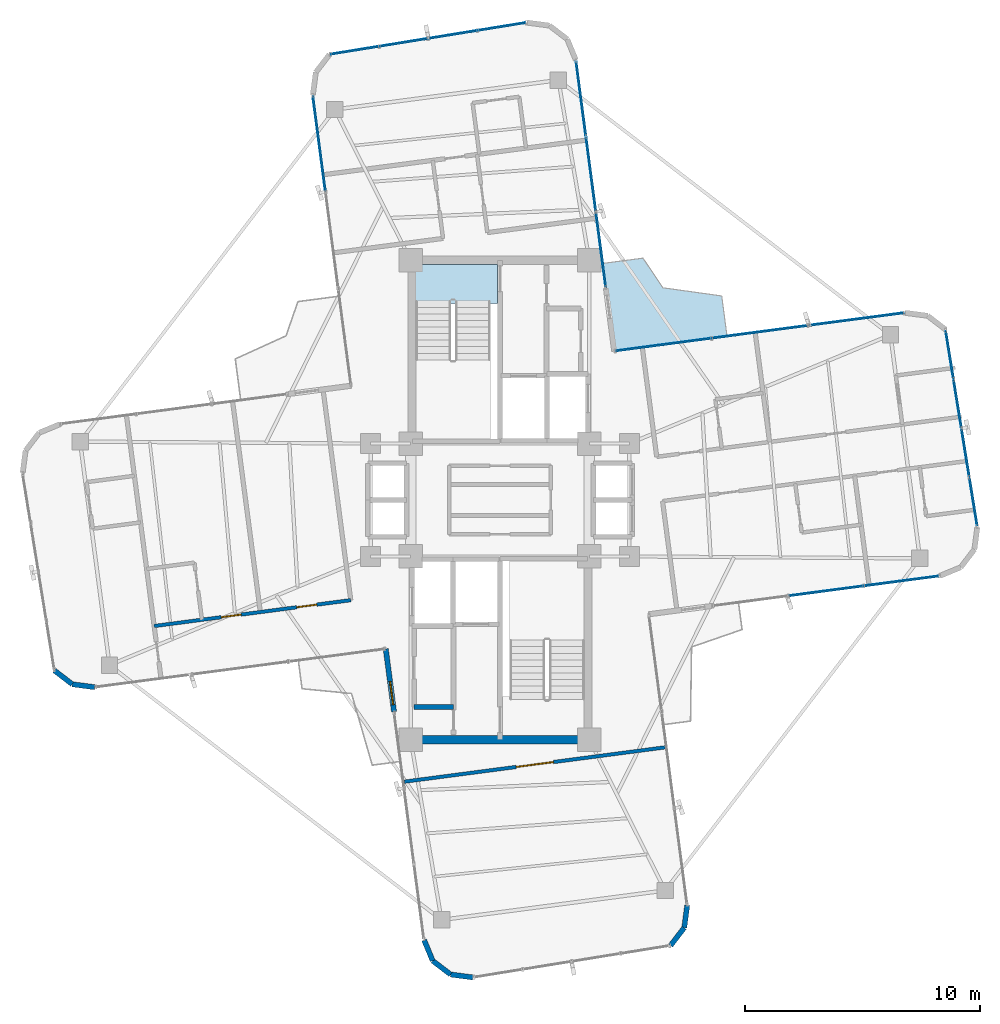
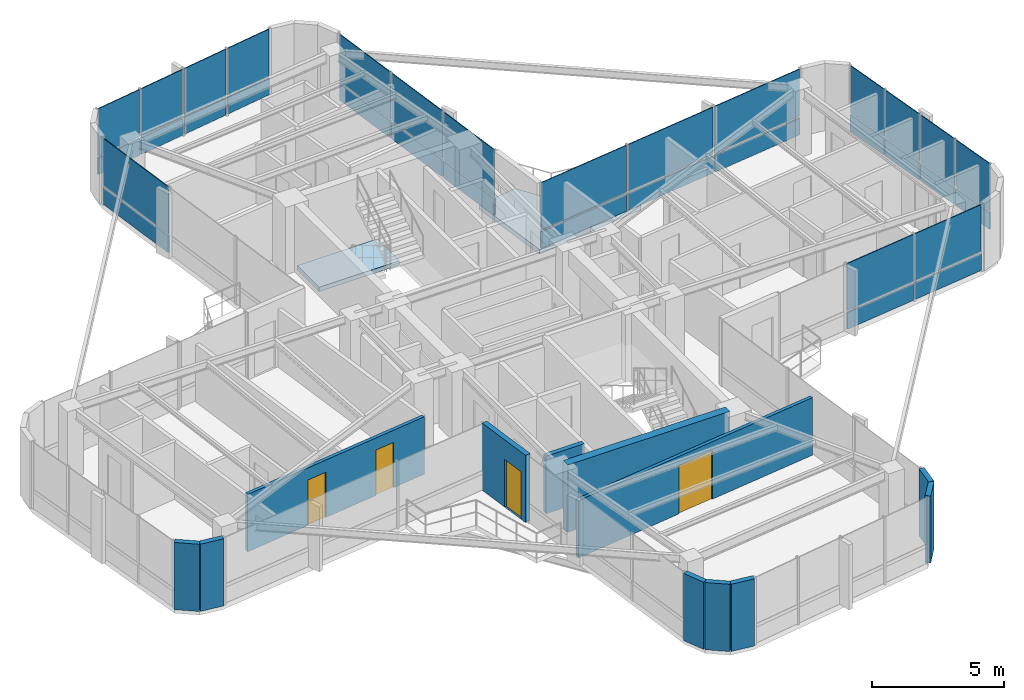
# One storey, part 17 of 21: 34 plates, 12 walls, 4 doors, 2 slabs, 4 openings, 6 elements without a shape of their own.
"""IFC4 building model written with IfcOpenShell, lengths in metres."""

from ifc_helpers import new_model, si_unit, direction, frame, frame_2d, origin, origin_2d, place, context, subcontext, project, spatial, polyline, rectangle, outline, extrude, source, transform, mapped, material, layer, layer_set, type_object, element, fill, aggregate, save


model = new_model("IFC4")

# Units and contexts
model_context = context("Model", 3, precision=1e-05, world=origin(), true_north=direction((0.0, 1.0)))
body_context = subcontext(model_context, "Body", "Model", "MODEL_VIEW")
ifc_project = project(units=[si_unit("LENGTHUNIT", "METRE"), si_unit("AREAUNIT", "SQUARE_METRE"), si_unit("VOLUMEUNIT", "CUBIC_METRE"), si_unit("PLANEANGLEUNIT", "RADIAN"), si_unit("MASSUNIT", "GRAM", prefix="KILO")], contexts=[model_context])

# Site, building, storey
site_placement = place(None, origin())
site = spatial("IfcSite", under=ifc_project, at=site_placement, CompositionType="ELEMENT")
building_placement = place(site_placement, origin())
building = spatial("IfcBuilding", under=site, at=building_placement, Name="Sahyath Konkavel Grand Hotel", CompositionType="ELEMENT")
storey_placement = place(building_placement, frame((0.0, 0.0, 219.89990234375)))
storey = spatial("IfcBuildingStorey", under=building, at=storey_placement, Name="L61", CompositionType="ELEMENT", Elevation=219.89990234375)

# Slabs
ifc_material_1 = material(Name="Concrete C40/50", Category="concrete")
ifc_layer_1 = layer(ifc_material_1, 0.219970703125)
ifc_layer_set_1 = layer_set([ifc_layer_1], Name="Concrete C40/50")
slab_type_1 = type_object("IfcSlabType", Name="SLB-BALCONY-220", PredefinedType="FLOOR", material=ifc_layer_set_1)
slab_1_placement = place(storey_placement, frame((0.0, 0.0, -0.219970703125)))
element("IfcSlab", 1, at=slab_1_placement, inside=storey, type_object=slab_type_1, Name="L61 Winter-Garden Balcony NE", PredefinedType="FLOOR", context=body_context, shape_type="SweptSolid", body=[
    extrude(outline(polyline([(4.860595703125, 6.334716796875), (9.658203125, 6.96630859375), (9.4326171875, 8.68017578125), (6.927734375, 9.028564453125), (6.083740234375, 10.2890625), (4.369873046875, 10.0634765625), (4.860595703125, 6.334716796875)])), origin(), (0.0, 0.0, 1.0), 0.219970703125),
])
ifc_layer_2 = layer(ifc_material_1, 0.199951171875)
ifc_layer_set_2 = layer_set([ifc_layer_2], Name="Concrete C40/50")
slab_type_2 = type_object("IfcSlabType", Name="SLB-STAIR-LND", PredefinedType="LANDING", material=ifc_layer_set_2)
slab_2_placement = place(storey_placement, frame((0.0, 0.0, -0.199951171875)))
element("IfcSlab", 2, at=slab_2_placement, inside=storey, type_object=slab_type_2, Name="L61 Stair ST-1 Floor Landing Slab", PredefinedType="LANDING", context=body_context, shape_type="SweptSolid", body=[
    extrude(outline(polyline([(-3.6201171875, 8.35009765625), (-0.10009765625, 8.35009765625), (-0.10009765625, 10.02001953125), (-3.6201171875, 10.02001953125), (-3.6201171875, 8.35009765625)])), origin(), (0.0, 0.0, 1.0), 0.199951171875),
])

# Curtain wall, plates
ifc_material_2 = material(Name="Anodised Bronze Aluminium & Low-E Glazing", Category="aluminium")
curtain_wall_type = type_object("IfcCurtainWallType", Name="CW-ZONE4", PredefinedType="NOTDEFINED", material=ifc_material_2)
curtain_wall_1_placement = place(storey_placement, origin())
curtain_wall_1 = element("IfcCurtainWall", 3, at=curtain_wall_1_placement, inside=storey, type_object=curtain_wall_type, Name="L61 Unitised Curtain Wall F0", PredefinedType="NOTDEFINED")
ifc_material_3 = material(Name="Warm Buff Sandstone Cladding", Category="masonry")
ifc_layer_3 = layer(ifc_material_3, 0.074951171875)
ifc_layer_set_3 = layer_set([ifc_layer_3], Name="Warm Buff Sandstone Cladding")
plate_type_1 = type_object("IfcPlateType", Name="PNL-SPANDREL-STONE", PredefinedType="SHEET", material=ifc_layer_set_3)
shared_shape_1 = source(origin(), body_context, "Body", "SweptSolid", [
    extrude(rectangle(XDim=3.156982421875, YDim=0.074951171875, at=origin_2d()), origin(), (0.0, 0.0, 1.0), 0.77001953125),
])
plate_1_placement = place(storey_placement, frame((13.864990234375, -3.869384765625, 0.0400390625), z_axis=(0.0, 0.0, 1.0), x_axis=(0.991444861374, 0.13052619222, 0.0)))
plate_1 = element("IfcPlate", 4, at=plate_1_placement, type_object=plate_type_1, Name="L61 Sandstone Relief Spandrel Panel F0-1", PredefinedType="SHEET", context=body_context, shape_type="MappedRepresentation", body=[
    mapped(shared_shape_1, transform((0.0, 0.0, 0.0), scale=1.0)),
])
plate_2_placement = place(storey_placement, frame((17.074462890625, -3.44677734375, 0.0400390625), z_axis=(0.0, 0.0, 1.0), x_axis=(0.991444861374, 0.13052619222, 0.0)))
plate_2 = element("IfcPlate", 5, at=plate_2_placement, type_object=plate_type_1, Name="L61 Sandstone Relief Spandrel Panel F0-2", PredefinedType="SHEET", context=body_context, shape_type="MappedRepresentation", body=[
    mapped(shared_shape_1, transform((0.0, 0.0, 0.0), scale=1.0)),
])

curtain_wall_2_placement = place(storey_placement, origin())
curtain_wall_2 = element("IfcCurtainWall", 6, at=curtain_wall_2_placement, inside=storey, type_object=curtain_wall_type, Name="L61 Unitised Curtain Wall F8", PredefinedType="NOTDEFINED")
plate_3_placement = place(storey_placement, frame((4.2919921875, 10.656005859375, 0.0400390625), z_axis=(0.0, 0.0, 1.0), x_axis=(-0.13052619222, 0.991444861374, 0.0)))
plate_3 = element("IfcPlate", 7, at=plate_3_placement, type_object=plate_type_1, Name="L61 Sandstone Relief Spandrel Panel F8-0", PredefinedType="SHEET", context=body_context, shape_type="MappedRepresentation", body=[
    mapped(shared_shape_1, transform((0.0, 0.0, 0.0), scale=1.0)),
])
plate_4_placement = place(storey_placement, frame((3.869384765625, 13.864990234375, 0.0400390625), z_axis=(0.0, 0.0, 1.0), x_axis=(-0.13052619222, 0.991444861374, 0.0)))
plate_4 = element("IfcPlate", 8, at=plate_4_placement, type_object=plate_type_1, Name="L61 Sandstone Relief Spandrel Panel F8-1", PredefinedType="SHEET", context=body_context, shape_type="MappedRepresentation", body=[
    mapped(shared_shape_1, transform((0.0, 0.0, 0.0), scale=1.0)),
])
plate_5_placement = place(storey_placement, frame((3.44677734375, 17.074462890625, 0.0400390625), z_axis=(0.0, 0.0, 1.0), x_axis=(-0.13052619222, 0.991444861374, 0.0)))
plate_5 = element("IfcPlate", 9, at=plate_5_placement, type_object=plate_type_1, Name="L61 Sandstone Relief Spandrel Panel F8-2", PredefinedType="SHEET", context=body_context, shape_type="MappedRepresentation", body=[
    mapped(shared_shape_1, transform((0.0, 0.0, 0.0), scale=1.0)),
])

# Plate
ifc_material_4 = material(Name="Low-E Solar Control Double Glazing", Category="glass")
ifc_layer_4 = layer(ifc_material_4, 0.035888671875)
ifc_layer_set_4 = layer_set([ifc_layer_4], Name="Low-E Solar Control Double Glazing")
plate_type_2 = type_object("IfcPlateType", Name="PNL-VISION-LOWE", PredefinedType="CURTAIN_PANEL", material=ifc_layer_set_4)
shared_shape_2 = source(origin(), body_context, "Body", "SweptSolid", [
    extrude(rectangle(XDim=3.156982421875, YDim=0.035888671875, at=origin_2d()), origin(), (0.0, 0.0, 1.0), 2.179931640625),
])
plate_6_placement = place(storey_placement, frame((13.864990234375, -3.869384765625, 0.89013671875), z_axis=(0.0, 0.0, 1.0), x_axis=(0.991444861374, 0.13052619222, 0.0)))
plate_6 = element("IfcPlate", 10, at=plate_6_placement, type_object=plate_type_2, Name="L61 Low-E Vision Glazing Panel F0-1", PredefinedType="CURTAIN_PANEL", context=body_context, shape_type="MappedRepresentation", body=[
    mapped(shared_shape_2, transform((0.0, 0.0, 0.0), scale=1.0)),
])

plate_7_placement = place(storey_placement, frame((17.074462890625, -3.44677734375, 0.89013671875), z_axis=(0.0, 0.0, 1.0), x_axis=(0.991444861374, 0.13052619222, 0.0)))
plate_7 = element("IfcPlate", 11, at=plate_7_placement, type_object=plate_type_2, Name="L61 Low-E Vision Glazing Panel F0-2", PredefinedType="CURTAIN_PANEL", context=body_context, shape_type="MappedRepresentation", body=[
    mapped(shared_shape_2, transform((0.0, 0.0, 0.0), scale=1.0)),
])

aggregate(curtain_wall_1, [plate_1, plate_6, plate_2, plate_7])

plate_8_placement = place(storey_placement, frame((4.2919921875, 10.656005859375, 0.89013671875), z_axis=(0.0, 0.0, 1.0), x_axis=(-0.13052619222, 0.991444861374, 0.0)))
plate_8 = element("IfcPlate", 12, at=plate_8_placement, type_object=plate_type_2, Name="L61 Low-E Vision Glazing Panel F8-0", PredefinedType="CURTAIN_PANEL", context=body_context, shape_type="MappedRepresentation", body=[
    mapped(shared_shape_2, transform((0.0, 0.0, 0.0), scale=1.0)),
])

plate_9_placement = place(storey_placement, frame((3.869384765625, 13.864990234375, 0.89013671875), z_axis=(0.0, 0.0, 1.0), x_axis=(-0.13052619222, 0.991444861374, 0.0)))
plate_9 = element("IfcPlate", 13, at=plate_9_placement, type_object=plate_type_2, Name="L61 Low-E Vision Glazing Panel F8-1", PredefinedType="CURTAIN_PANEL", context=body_context, shape_type="MappedRepresentation", body=[
    mapped(shared_shape_2, transform((0.0, 0.0, 0.0), scale=1.0)),
])

plate_10_placement = place(storey_placement, frame((3.44677734375, 17.074462890625, 0.89013671875), z_axis=(0.0, 0.0, 1.0), x_axis=(-0.13052619222, 0.991444861374, 0.0)))
plate_10 = element("IfcPlate", 14, at=plate_10_placement, type_object=plate_type_2, Name="L61 Low-E Vision Glazing Panel F8-2", PredefinedType="CURTAIN_PANEL", context=body_context, shape_type="MappedRepresentation", body=[
    mapped(shared_shape_2, transform((0.0, 0.0, 0.0), scale=1.0)),
])

aggregate(curtain_wall_2, [plate_3, plate_8, plate_4, plate_9, plate_5, plate_10])

# Curtain wall, plates
curtain_wall_3_placement = place(storey_placement, origin())
curtain_wall_3 = element("IfcCurtainWall", 15, at=curtain_wall_3_placement, inside=storey, type_object=curtain_wall_type, Name="L61 Unitised Curtain Wall F4", PredefinedType="NOTDEFINED")
shared_shape_3 = source(origin(), body_context, "Body", "SweptSolid", [
    extrude(rectangle(XDim=2.0302734375, YDim=0.074951171875, at=origin_2d()), origin(), (0.0, 0.0, 1.0), 0.77001953125),
])
plate_11_placement = place(storey_placement, frame((20.13720703125, -0.073486328125, 0.0400390625), z_axis=(0.0, 0.0, 1.0), x_axis=(-0.159312611531, 0.987228186291, 0.0)))
plate_11 = element("IfcPlate", 16, at=plate_11_placement, type_object=plate_type_1, Name="L61 Sandstone Relief Spandrel Panel F4-0", PredefinedType="SHEET", context=body_context, shape_type="MappedRepresentation", body=[
    mapped(shared_shape_3, transform((0.0, 0.0, 0.0), scale=1.0)),
])
plate_12_placement = place(storey_placement, frame((19.80078125, 2.009521484375, 0.0400390625), z_axis=(0.0, 0.0, 1.0), x_axis=(-0.159312611531, 0.987228186291, 0.0)))
plate_12 = element("IfcPlate", 17, at=plate_12_placement, type_object=plate_type_1, Name="L61 Sandstone Relief Spandrel Panel F4-1", PredefinedType="SHEET", context=body_context, shape_type="MappedRepresentation", body=[
    mapped(shared_shape_3, transform((0.0, 0.0, 0.0), scale=1.0)),
])
plate_13_placement = place(storey_placement, frame((19.464599609375, 4.0927734375, 0.0400390625), z_axis=(0.0, 0.0, 1.0), x_axis=(-0.159312611531, 0.987228186291, 0.0)))
plate_13 = element("IfcPlate", 18, at=plate_13_placement, type_object=plate_type_1, Name="L61 Sandstone Relief Spandrel Panel F4-2", PredefinedType="SHEET", context=body_context, shape_type="MappedRepresentation", body=[
    mapped(shared_shape_3, transform((0.0, 0.0, 0.0), scale=1.0)),
])
plate_14_placement = place(storey_placement, frame((19.128662109375, 6.176025390625, 0.0400390625), z_axis=(0.0, 0.0, 1.0), x_axis=(-0.159312611531, 0.987228186291, 0.0)))
plate_14 = element("IfcPlate", 19, at=plate_14_placement, type_object=plate_type_1, Name="L61 Sandstone Relief Spandrel Panel F4-3", PredefinedType="SHEET", context=body_context, shape_type="MappedRepresentation", body=[
    mapped(shared_shape_3, transform((0.0, 0.0, 0.0), scale=1.0)),
])

curtain_wall_4_placement = place(storey_placement, origin())
curtain_wall_4 = element("IfcCurtainWall", 20, at=curtain_wall_4_placement, inside=storey, type_object=curtain_wall_type, Name="L61 Unitised Curtain Wall F12", PredefinedType="NOTDEFINED")
plate_15_placement = place(storey_placement, frame((0.073486328125, 20.13720703125, 0.0400390625), z_axis=(0.0, 0.0, 1.0), x_axis=(-0.987228186291, -0.159312611531, 0.0)))
plate_15 = element("IfcPlate", 21, at=plate_15_placement, type_object=plate_type_1, Name="L61 Sandstone Relief Spandrel Panel F12-0", PredefinedType="SHEET", context=body_context, shape_type="MappedRepresentation", body=[
    mapped(shared_shape_3, transform((0.0, 0.0, 0.0), scale=1.0)),
])
plate_16_placement = place(storey_placement, frame((-2.009521484375, 19.80078125, 0.0400390625), z_axis=(0.0, 0.0, 1.0), x_axis=(-0.987228186291, -0.159312611531, 0.0)))
plate_16 = element("IfcPlate", 22, at=plate_16_placement, type_object=plate_type_1, Name="L61 Sandstone Relief Spandrel Panel F12-1", PredefinedType="SHEET", context=body_context, shape_type="MappedRepresentation", body=[
    mapped(shared_shape_3, transform((0.0, 0.0, 0.0), scale=1.0)),
])
plate_17_placement = place(storey_placement, frame((-4.0927734375, 19.464599609375, 0.0400390625), z_axis=(0.0, 0.0, 1.0), x_axis=(-0.987228186291, -0.159312611531, 0.0)))
plate_17 = element("IfcPlate", 23, at=plate_17_placement, type_object=plate_type_1, Name="L61 Sandstone Relief Spandrel Panel F12-2", PredefinedType="SHEET", context=body_context, shape_type="MappedRepresentation", body=[
    mapped(shared_shape_3, transform((0.0, 0.0, 0.0), scale=1.0)),
])
plate_18_placement = place(storey_placement, frame((-6.176025390625, 19.128662109375, 0.0400390625), z_axis=(0.0, 0.0, 1.0), x_axis=(-0.987228186291, -0.159312611531, 0.0)))
plate_18 = element("IfcPlate", 24, at=plate_18_placement, type_object=plate_type_1, Name="L61 Sandstone Relief Spandrel Panel F12-3", PredefinedType="SHEET", context=body_context, shape_type="MappedRepresentation", body=[
    mapped(shared_shape_3, transform((0.0, 0.0, 0.0), scale=1.0)),
])

# Plate
shared_shape_4 = source(origin(), body_context, "Body", "SweptSolid", [
    extrude(rectangle(XDim=2.0302734375, YDim=0.035888671875, at=origin_2d()), origin(), (0.0, 0.0, 1.0), 2.179931640625),
])
plate_19_placement = place(storey_placement, frame((20.13720703125, -0.073486328125, 0.89013671875), z_axis=(0.0, 0.0, 1.0), x_axis=(-0.159312611531, 0.987228186291, 0.0)))
plate_19 = element("IfcPlate", 25, at=plate_19_placement, type_object=plate_type_2, Name="L61 Low-E Vision Glazing Panel F4-0", PredefinedType="CURTAIN_PANEL", context=body_context, shape_type="MappedRepresentation", body=[
    mapped(shared_shape_4, transform((0.0, 0.0, 0.0), scale=1.0)),
])

plate_20_placement = place(storey_placement, frame((19.80078125, 2.009521484375, 0.89013671875), z_axis=(0.0, 0.0, 1.0), x_axis=(-0.159312611531, 0.987228186291, 0.0)))
plate_20 = element("IfcPlate", 26, at=plate_20_placement, type_object=plate_type_2, Name="L61 Low-E Vision Glazing Panel F4-1", PredefinedType="CURTAIN_PANEL", context=body_context, shape_type="MappedRepresentation", body=[
    mapped(shared_shape_4, transform((0.0, 0.0, 0.0), scale=1.0)),
])

plate_21_placement = place(storey_placement, frame((19.464599609375, 4.0927734375, 0.89013671875), z_axis=(0.0, 0.0, 1.0), x_axis=(-0.159312611531, 0.987228186291, 0.0)))
plate_21 = element("IfcPlate", 27, at=plate_21_placement, type_object=plate_type_2, Name="L61 Low-E Vision Glazing Panel F4-2", PredefinedType="CURTAIN_PANEL", context=body_context, shape_type="MappedRepresentation", body=[
    mapped(shared_shape_4, transform((0.0, 0.0, 0.0), scale=1.0)),
])

plate_22_placement = place(storey_placement, frame((19.128662109375, 6.176025390625, 0.89013671875), z_axis=(0.0, 0.0, 1.0), x_axis=(-0.159312611531, 0.987228186291, 0.0)))
plate_22 = element("IfcPlate", 28, at=plate_22_placement, type_object=plate_type_2, Name="L61 Low-E Vision Glazing Panel F4-3", PredefinedType="CURTAIN_PANEL", context=body_context, shape_type="MappedRepresentation", body=[
    mapped(shared_shape_4, transform((0.0, 0.0, 0.0), scale=1.0)),
])

aggregate(curtain_wall_3, [plate_11, plate_19, plate_12, plate_20, plate_13, plate_21, plate_14, plate_22])

plate_23_placement = place(storey_placement, frame((0.073486328125, 20.13720703125, 0.89013671875), z_axis=(0.0, 0.0, 1.0), x_axis=(-0.987228186291, -0.159312611531, 0.0)))
plate_23 = element("IfcPlate", 29, at=plate_23_placement, type_object=plate_type_2, Name="L61 Low-E Vision Glazing Panel F12-0", PredefinedType="CURTAIN_PANEL", context=body_context, shape_type="MappedRepresentation", body=[
    mapped(shared_shape_4, transform((0.0, 0.0, 0.0), scale=1.0)),
])

plate_24_placement = place(storey_placement, frame((-2.009521484375, 19.80078125, 0.89013671875), z_axis=(0.0, 0.0, 1.0), x_axis=(-0.987228186291, -0.159312611531, 0.0)))
plate_24 = element("IfcPlate", 30, at=plate_24_placement, type_object=plate_type_2, Name="L61 Low-E Vision Glazing Panel F12-1", PredefinedType="CURTAIN_PANEL", context=body_context, shape_type="MappedRepresentation", body=[
    mapped(shared_shape_4, transform((0.0, 0.0, 0.0), scale=1.0)),
])

plate_25_placement = place(storey_placement, frame((-4.0927734375, 19.464599609375, 0.89013671875), z_axis=(0.0, 0.0, 1.0), x_axis=(-0.987228186291, -0.159312611531, 0.0)))
plate_25 = element("IfcPlate", 31, at=plate_25_placement, type_object=plate_type_2, Name="L61 Low-E Vision Glazing Panel F12-2", PredefinedType="CURTAIN_PANEL", context=body_context, shape_type="MappedRepresentation", body=[
    mapped(shared_shape_4, transform((0.0, 0.0, 0.0), scale=1.0)),
])

plate_26_placement = place(storey_placement, frame((-6.176025390625, 19.128662109375, 0.89013671875), z_axis=(0.0, 0.0, 1.0), x_axis=(-0.987228186291, -0.159312611531, 0.0)))
plate_26 = element("IfcPlate", 32, at=plate_26_placement, type_object=plate_type_2, Name="L61 Low-E Vision Glazing Panel F12-3", PredefinedType="CURTAIN_PANEL", context=body_context, shape_type="MappedRepresentation", body=[
    mapped(shared_shape_4, transform((0.0, 0.0, 0.0), scale=1.0)),
])

aggregate(curtain_wall_4, [plate_15, plate_23, plate_16, plate_24, plate_17, plate_25, plate_18, plate_26])

# Curtain wall, plates
curtain_wall_5_placement = place(storey_placement, origin())
curtain_wall_5 = element("IfcCurtainWall", 33, at=curtain_wall_5_placement, inside=storey, type_object=curtain_wall_type, Name="L61 Unitised Curtain Wall F7", PredefinedType="NOTDEFINED")
shared_shape_5 = source(origin(), body_context, "Body", "SweptSolid", [
    extrude(rectangle(XDim=4.056884765625, YDim=0.074951171875, at=origin_2d()), origin(), (0.0, 0.0, 1.0), 0.77001953125),
])
plate_27_placement = place(storey_placement, frame((15.154296875, 7.68994140625, 0.0400390625), z_axis=(0.0, 0.0, 1.0), x_axis=(-0.991444861374, -0.13052619222, 0.0)))
plate_27 = element("IfcPlate", 34, at=plate_27_placement, type_object=plate_type_1, Name="L61 Sandstone Relief Spandrel Panel F7-0", PredefinedType="SHEET", context=body_context, shape_type="MappedRepresentation", body=[
    mapped(shared_shape_5, transform((0.0, 0.0, 0.0), scale=1.0)),
])
plate_28_placement = place(storey_placement, frame((11.052734375, 7.14990234375, 0.0400390625), z_axis=(0.0, 0.0, 1.0), x_axis=(-0.991444861374, -0.13052619222, 0.0)))
plate_28 = element("IfcPlate", 35, at=plate_28_placement, type_object=plate_type_1, Name="L61 Sandstone Relief Spandrel Panel F7-1", PredefinedType="SHEET", context=body_context, shape_type="MappedRepresentation", body=[
    mapped(shared_shape_5, transform((0.0, 0.0, 0.0), scale=1.0)),
])
plate_29_placement = place(storey_placement, frame((6.951171875, 6.60986328125, 0.0400390625), z_axis=(0.0, 0.0, 1.0), x_axis=(-0.991444861374, -0.13052619222, 0.0)))
plate_29 = element("IfcPlate", 36, at=plate_29_placement, type_object=plate_type_1, Name="L61 Sandstone Relief Spandrel Panel F7-2", PredefinedType="SHEET", context=body_context, shape_type="MappedRepresentation", body=[
    mapped(shared_shape_5, transform((0.0, 0.0, 0.0), scale=1.0)),
])

# Curtain wall, plate
curtain_wall_6_placement = place(storey_placement, origin())
curtain_wall_6 = element("IfcCurtainWall", 37, at=curtain_wall_6_placement, inside=storey, type_object=curtain_wall_type, Name="L61 Unitised Curtain Wall F15", PredefinedType="NOTDEFINED")
plate_30_placement = place(storey_placement, frame((-7.68994140625, 15.154296875, 0.0400390625), z_axis=(0.0, 0.0, 1.0), x_axis=(0.13052619222, -0.991444861374, 0.0)))
plate_30 = element("IfcPlate", 38, at=plate_30_placement, type_object=plate_type_1, Name="L61 Sandstone Relief Spandrel Panel F15-0", PredefinedType="SHEET", context=body_context, shape_type="MappedRepresentation", body=[
    mapped(shared_shape_5, transform((0.0, 0.0, 0.0), scale=1.0)),
])

# Plate
shared_shape_6 = source(origin(), body_context, "Body", "SweptSolid", [
    extrude(rectangle(XDim=4.056884765625, YDim=0.035888671875, at=origin_2d()), origin(), (0.0, 0.0, 1.0), 2.179931640625),
])
plate_31_placement = place(storey_placement, frame((15.154296875, 7.68994140625, 0.89013671875), z_axis=(0.0, 0.0, 1.0), x_axis=(-0.991444861374, -0.13052619222, 0.0)))
plate_31 = element("IfcPlate", 39, at=plate_31_placement, type_object=plate_type_2, Name="L61 Low-E Vision Glazing Panel F7-0", PredefinedType="CURTAIN_PANEL", context=body_context, shape_type="MappedRepresentation", body=[
    mapped(shared_shape_6, transform((0.0, 0.0, 0.0), scale=1.0)),
])

plate_32_placement = place(storey_placement, frame((11.052734375, 7.14990234375, 0.89013671875), z_axis=(0.0, 0.0, 1.0), x_axis=(-0.991444861374, -0.13052619222, 0.0)))
plate_32 = element("IfcPlate", 40, at=plate_32_placement, type_object=plate_type_2, Name="L61 Low-E Vision Glazing Panel F7-1", PredefinedType="CURTAIN_PANEL", context=body_context, shape_type="MappedRepresentation", body=[
    mapped(shared_shape_6, transform((0.0, 0.0, 0.0), scale=1.0)),
])

plate_33_placement = place(storey_placement, frame((6.951171875, 6.60986328125, 0.89013671875), z_axis=(0.0, 0.0, 1.0), x_axis=(-0.991444861374, -0.13052619222, 0.0)))
plate_33 = element("IfcPlate", 41, at=plate_33_placement, type_object=plate_type_2, Name="L61 Low-E Vision Glazing Panel F7-2", PredefinedType="CURTAIN_PANEL", context=body_context, shape_type="MappedRepresentation", body=[
    mapped(shared_shape_6, transform((0.0, 0.0, 0.0), scale=1.0)),
])

aggregate(curtain_wall_5, [plate_27, plate_31, plate_28, plate_32, plate_29, plate_33])

plate_34_placement = place(storey_placement, frame((-7.68994140625, 15.154296875, 0.89013671875), z_axis=(0.0, 0.0, 1.0), x_axis=(0.13052619222, -0.991444861374, 0.0)))
plate_34 = element("IfcPlate", 42, at=plate_34_placement, type_object=plate_type_2, Name="L61 Low-E Vision Glazing Panel F15-0", PredefinedType="CURTAIN_PANEL", context=body_context, shape_type="MappedRepresentation", body=[
    mapped(shared_shape_6, transform((0.0, 0.0, 0.0), scale=1.0)),
])

aggregate(curtain_wall_6, [plate_30, plate_34])

# Walls
ifc_layer_5 = layer(ifc_material_1, 0.35009765625)
ifc_layer_set_5 = layer_set([ifc_layer_5], Name="Concrete C40/50")
wall_type_1 = type_object("IfcWallType", Name="CWALL-350", PredefinedType="SHEAR", material=ifc_layer_set_5)
wall_1_placement = place(storey_placement, frame((-3.550048828125, -10.199951171875, 0.0), z_axis=(0.0, 0.0, 1.0), x_axis=(1.0, 0.0, 0.0)))
element("IfcWall", 43, at=wall_1_placement, inside=storey, type_object=wall_type_1, Name="L61 South Core Shear Wall S", PredefinedType="SHEAR", context=body_context, shape_type="SweptSolid", body=[
    extrude(rectangle(XDim=7.10009765625, YDim=0.35009765625, at=frame_2d((3.550048828125, 0.0))), origin(), (0.0, 0.0, 1.0), 3.110107421875),
])
ifc_material_5 = material(Name="Warm Buff Sandstone Insulated Concrete C40/50", Category="masonry")
ifc_layer_6 = layer(ifc_material_5, 0.219970703125)
ifc_layer_set_6 = layer_set([ifc_layer_6], Name="Warm Buff Sandstone Insulated Concrete C40/50")
wall_type_2 = type_object("IfcWallType", Name="WLL-BALC-THRESH", PredefinedType="STANDARD", material=ifc_layer_set_6)
for number, where, z_axis, x_axis, name in (
    (44, (-18.9541015625, -7.257080078125, 0.0), (0.0, 0.0, 1.0), (0.793343685778, -0.608774010809, 0.0), "L61 Rounded Corner Sandstone Pier 21"),
    (45, (-18.1943359375, -7.840087890625, 0.0), (0.0, 0.0, 1.0), (0.991444747987, -0.130527053476, 0.0), "L61 Rounded Corner Sandstone Pier 22"),
):
    element("IfcWall", number, at=place(storey_placement, frame(where, z_axis=z_axis, x_axis=x_axis)), inside=storey, type_object=wall_type_2, Name=name, PredefinedType="STANDARD", context=body_context, shape_type="SweptSolid", body=[
        extrude(rectangle(XDim=0.957763671875, YDim=0.219970703125, at=frame_2d((0.47900390625, 0.0))), origin(), (0.0, 0.0, 1.0), 3.110107421875),
    ])

# Wall, opening, door
wall_2_placement = place(storey_placement, frame((-4.860595703125, -6.334716796875, 0.0), z_axis=(0.0, 0.0, 1.0), x_axis=(0.130487261016, -0.991449985986, 0.0)))
wall_2 = element("IfcWall", 46, at=wall_2_placement, inside=storey, type_object=wall_type_2, Name="L61 Winter-Garden Threshold Wall 24", PredefinedType="STANDARD", context=body_context, shape_type="SweptSolid", body=[
    extrude(rectangle(XDim=2.699951171875, YDim=0.219970703125, at=frame_2d((1.35009765625, 0.0))), origin(), (0.0, 0.0, 1.0), 3.110107421875),
])
opening_1_placement = place(wall_2_placement, frame((1.39990234375, 0.0, 0.0)))
opening_1 = element("IfcOpeningElement", 47, at=opening_1_placement, cuts=wall_2, Name="Opening D-TR1", PredefinedType="OPENING", context=body_context, shape_type="SweptSolid", body=[
    extrude(rectangle(XDim=1.0, YDim=2.199951171875, at=frame_2d((0.5, 1.10009765625))), frame((0.0, 0.1201171875, 0.0), z_axis=(0.0, -1.0, 0.0), x_axis=(1.0, 0.0, 0.0)), (0.0, 0.0, 1.0), 0.239990234375),
])
door_type_1 = type_object("IfcDoorType", Name="DR-TERRACE-1000", OperationType="NOTDEFINED", PredefinedType="DOOR", material=ifc_material_2)
shared_shape_7 = source(origin(), body_context, "Body", "SweptSolid", [
    extrude(rectangle(XDim=1.0, YDim=0.050048828125, at=origin_2d()), origin(), (0.0, 0.0, 1.0), 2.199951171875),
])
door_1_placement = place(opening_1_placement, frame((0.5, 0.0, 0.0)))
door_1 = element("IfcDoor", 48, at=door_1_placement, inside=storey, type_object=door_type_1, Name="L61 Winter-Garden Terrace Door 24", OperationType="SINGLE_SWING_LEFT", OverallHeight=2.199951171875, OverallWidth=1.0, PredefinedType="DOOR", context=body_context, shape_type="MappedRepresentation", body=[
    mapped(shared_shape_7, transform((0.0, 0.0, 0.0), scale=1.0)),
])
fill(opening_1, door_1)

# Walls
wall_3_placement = place(storey_placement, frame((-3.230224609375, -18.71875, 0.0), z_axis=(0.0, 0.0, 1.0), x_axis=(0.382441868588, -0.923979554509, 0.0)))
element("IfcWall", 49, at=wall_3_placement, inside=storey, type_object=wall_type_2, Name="L61 Rounded Corner Sandstone Pier 25", PredefinedType="STANDARD", context=body_context, shape_type="SweptSolid", body=[
    extrude(rectangle(XDim=0.95751953125, YDim=0.219970703125, at=frame_2d((0.478759765625, 0.0))), origin(), (0.0, 0.0, 1.0), 3.110107421875),
])
wall_4_placement = place(storey_placement, frame((-2.864013671875, -19.603515625, 0.0), z_axis=(0.0, 0.0, 1.0), x_axis=(0.79343813584, -0.60865090536, 0.0)))
element("IfcWall", 50, at=wall_4_placement, inside=storey, type_object=wall_type_2, Name="L61 Rounded Corner Sandstone Pier 26", PredefinedType="STANDARD", context=body_context, shape_type="SweptSolid", body=[
    extrude(rectangle(XDim=0.957763671875, YDim=0.219970703125, at=frame_2d((0.47900390625, 0.0))), origin(), (0.0, 0.0, 1.0), 3.110107421875),
])
wall_5_placement = place(storey_placement, frame((-2.10400390625, -20.1865234375, 0.0), z_axis=(0.0, 0.0, 1.0), x_axis=(0.991440402921, -0.13056005306, 0.0)))
element("IfcWall", 51, at=wall_5_placement, inside=storey, type_object=wall_type_2, Name="L61 Rounded Corner Sandstone Pier 27", PredefinedType="STANDARD", context=body_context, shape_type="SweptSolid", body=[
    extrude(rectangle(XDim=0.95751953125, YDim=0.219970703125, at=frame_2d((0.478759765625, 0.0))), origin(), (0.0, 0.0, 1.0), 3.110107421875),
])
for number, where, z_axis, x_axis, name in (
    (52, (7.257080078125, -18.9541015625, 0.0), (0.0, 0.0, 1.0), (0.608774010809, 0.793343685778, 0.0), "L61 Rounded Corner Sandstone Pier 29"),
    (53, (7.840087890625, -18.1943359375, 0.0), (0.0, 0.0, 1.0), (0.130527053476, 0.991444747987, 0.0), "L61 Rounded Corner Sandstone Pier 30"),
):
    element("IfcWall", number, at=place(storey_placement, frame(where, z_axis=z_axis, x_axis=x_axis)), inside=storey, type_object=wall_type_2, Name=name, PredefinedType="STANDARD", context=body_context, shape_type="SweptSolid", body=[
        extrude(rectangle(XDim=0.957763671875, YDim=0.219970703125, at=frame_2d((0.47900390625, 0.0))), origin(), (0.0, 0.0, 1.0), 3.110107421875),
    ])
ifc_layer_7 = layer(ifc_material_1, 0.199951171875)
ifc_layer_set_7 = layer_set([ifc_layer_7], Name="Concrete C40/50")
wall_type_3 = type_object("IfcWallType", Name="WLL-CORE-200", PredefinedType="SOLIDWALL", material=ifc_layer_set_7)
wall_6_placement = place(storey_placement, frame((-3.64990234375, -8.81005859375, 0.0), z_axis=(0.0, 0.0, 1.0), x_axis=(1.0, 0.0, 0.0)))
element("IfcWall", 54, at=wall_6_placement, inside=storey, type_object=wall_type_3, Name="L61 Partition SC-REC-S", PredefinedType="SOLIDWALL", context=body_context, shape_type="SweptSolid", body=[
    extrude(rectangle(XDim=1.669921875, YDim=0.199951171875, at=frame_2d((0.8349609375, 0.0))), origin(), (0.0, 0.0, 1.0), 2.66015625),
])

# Wall, openings, doors
ifc_material_6 = material(Name="Fire-Rated Gypsum Plasterboard Partition")
ifc_layer_8 = layer(ifc_material_6, 0.14990234375)
ifc_layer_set_8 = layer_set([ifc_layer_8], Name="Fire-Rated Gypsum Plasterboard Partition")
wall_type_4 = type_object("IfcWallType", Name="WLL-PART-150", PredefinedType="PARTITIONING", material=ifc_layer_set_8)
wall_7_placement = place(storey_placement, frame((-6.34814453125, -4.260986328125, 0.0), z_axis=(0.0, 0.0, 1.0), x_axis=(-0.991443655047, -0.130535354851, 0.0)))
wall_7 = element("IfcWall", 55, at=wall_7_placement, inside=storey, type_object=wall_type_4, Name="L61 Partition W-G5W", PredefinedType="PARTITIONING", context=body_context, shape_type="SweptSolid", body=[
    extrude(rectangle(XDim=8.43701171875, YDim=0.14990234375, at=frame_2d((4.218505859375, 0.0))), origin(), (0.0, 0.0, 1.0), 2.66015625),
])
opening_2_placement = place(wall_7_placement, frame((1.466064453125, 0.0, 0.0)))
opening_2 = element("IfcOpeningElement", 56, at=opening_2_placement, cuts=wall_7, Name="Opening D-F06D", PredefinedType="OPENING", context=body_context, shape_type="SweptSolid", body=[
    extrude(rectangle(XDim=0.85009765625, YDim=2.10009765625, at=frame_2d((0.425048828125, 1.050048828125))), frame((0.0, 0.0849609375, 0.0), z_axis=(0.0, -1.0, 0.0), x_axis=(1.0, 0.0, 0.0)), (0.0, 0.0, 1.0), 0.169921875),
])
opening_3_placement = place(wall_7_placement, frame((4.708984375, 0.0, 0.0)))
opening_3 = element("IfcOpeningElement", 57, at=opening_3_placement, cuts=wall_7, Name="Opening D-F06D", PredefinedType="OPENING", context=body_context, shape_type="SweptSolid", body=[
    extrude(rectangle(XDim=0.85009765625, YDim=2.10009765625, at=frame_2d((0.425048828125, 1.050048828125))), frame((0.0, 0.0849609375, 0.0), z_axis=(0.0, -1.0, 0.0), x_axis=(1.0, 0.0, 0.0)), (0.0, 0.0, 1.0), 0.169921875),
])
ifc_material_7 = material(Name="Fire-Rated Shaft Access Door")
door_type_2 = type_object("IfcDoorType", Name="DR-FD60-850", OperationType="NOTDEFINED", PredefinedType="DOOR", material=ifc_material_7)
shared_shape_8 = source(origin(), body_context, "Body", "SweptSolid", [
    extrude(rectangle(XDim=0.85009765625, YDim=0.050048828125, at=origin_2d()), origin(), (0.0, 0.0, 1.0), 2.10009765625),
])
door_2_placement = place(opening_2_placement, frame((0.425048828125, 0.0, 0.0)))
door_2 = element("IfcDoor", 58, at=door_2_placement, inside=storey, type_object=door_type_2, Name="L61 Door W-WD1-D", OperationType="SINGLE_SWING_RIGHT", OverallHeight=2.10009765625, OverallWidth=0.85009765625, PredefinedType="DOOR", context=body_context, shape_type="MappedRepresentation", body=[
    mapped(shared_shape_8, transform((0.0, 0.0, 0.0), scale=1.0)),
])
fill(opening_2, door_2)
door_3_placement = place(opening_3_placement, frame((0.425048828125, 0.0, 0.0)))
door_3 = element("IfcDoor", 59, at=door_3_placement, inside=storey, type_object=door_type_2, Name="L61 Door W-WD2-ED", OperationType="SINGLE_SWING_RIGHT", OverallHeight=2.10009765625, OverallWidth=0.85009765625, PredefinedType="DOOR", context=body_context, shape_type="MappedRepresentation", body=[
    mapped(shared_shape_8, transform((0.0, 0.0, 0.0), scale=1.0)),
])
fill(opening_3, door_3)

# Wall, opening, door
wall_8_placement = place(storey_placement, frame((-4.066650390625, -11.9833984375, 0.0), z_axis=(0.0, 0.0, 1.0), x_axis=(0.991443749146, 0.130534640152, 0.0)))
wall_8 = element("IfcWall", 60, at=wall_8_placement, inside=storey, type_object=wall_type_4, Name="L61 Partition S-SAL-IN", PredefinedType="PARTITIONING", context=body_context, shape_type="SweptSolid", body=[
    extrude(rectangle(XDim=11.19189453125, YDim=0.14990234375, at=frame_2d((5.595947265625, 0.0))), origin(), (0.0, 0.0, 1.0), 2.66015625),
])
opening_4_placement = place(wall_8_placement, frame((4.7958984375, 0.0, 0.0)))
opening_4 = element("IfcOpeningElement", 61, at=opening_4_placement, cuts=wall_8, Name="Opening D-DB16", PredefinedType="OPENING", context=body_context, shape_type="SweptSolid", body=[
    extrude(rectangle(XDim=1.60009765625, YDim=2.25, at=frame_2d((0.800048828125, 1.125))), frame((0.0, 0.0849609375, 0.0), z_axis=(0.0, -1.0, 0.0), x_axis=(1.0, 0.0, 0.0)), (0.0, 0.0, 1.0), 0.169921875),
])
ifc_material_8 = material(Name="Double Leaf Lounge Glazed Timber Door", Category="wood")
door_type_3 = type_object("IfcDoorType", Name="DR-DBL-1600", OperationType="DOUBLE_DOOR_SINGLE_SWING", PredefinedType="DOOR", material=ifc_material_8)
shared_shape_9 = source(origin(), body_context, "Body", "SweptSolid", [
    extrude(rectangle(XDim=1.60009765625, YDim=0.050048828125, at=origin_2d()), origin(), (0.0, 0.0, 1.0), 2.25),
])
door_4_placement = place(opening_4_placement, frame((0.800048828125, 0.0, 0.0)))
door_4 = element("IfcDoor", 62, at=door_4_placement, inside=storey, type_object=door_type_3, Name="L61 Door S-SAL-D", OperationType="DOUBLE_DOOR_SINGLE_SWING", OverallHeight=2.25, OverallWidth=1.60009765625, PredefinedType="DOOR", context=body_context, shape_type="MappedRepresentation", body=[
    mapped(shared_shape_9, transform((0.0, 0.0, 0.0), scale=1.0)),
])
fill(opening_4, door_4)

save(model, "model.ifc")
